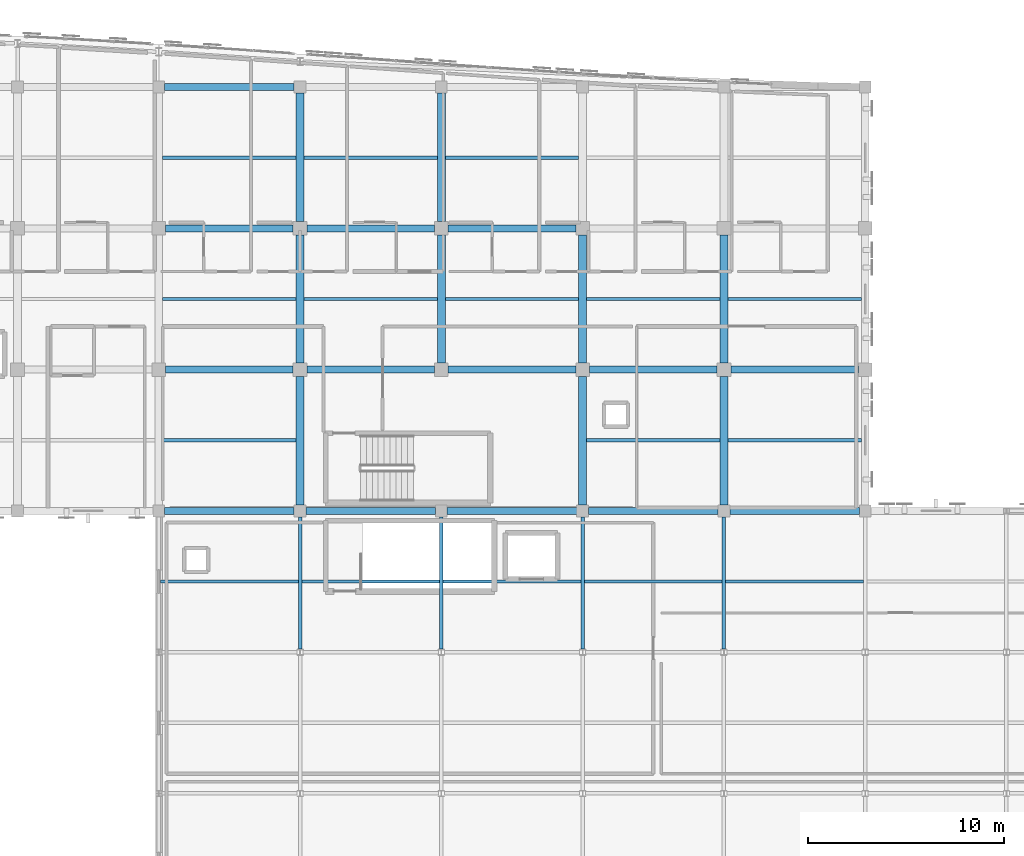
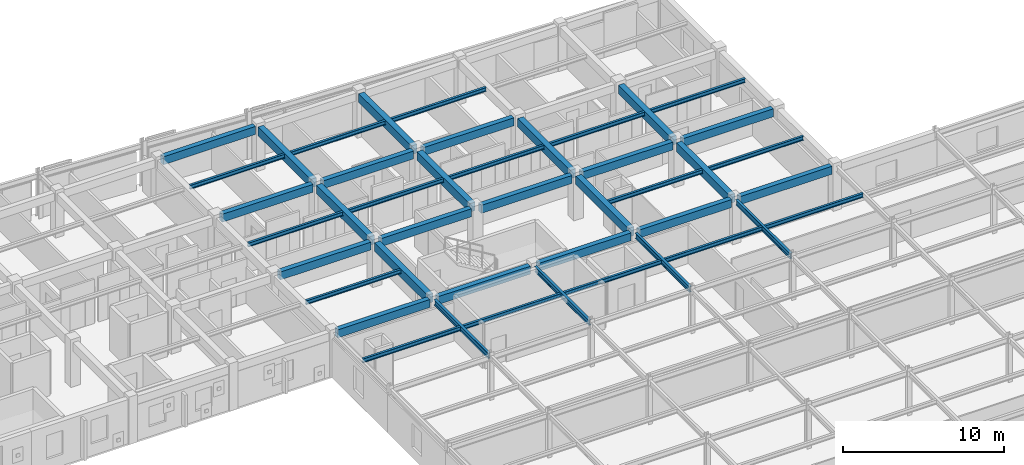
# One storey, part 34 of 73: 43 beams.
"""IFC4 building model written with IfcOpenShell, lengths in metres."""

import ifcopenshell
import ifcopenshell.guid

model = None  # the IFC model being written
_history = None  # IfcOwnerHistory: only IFC2X3 demands one
_inside = {}  # id of a spatial element -> (the spatial element, [elements in it])
_under = {}  # id of a project, library or spatial element -> (it, [spatial elements below it])
_declared = {}  # id of a project -> (the project, [libraries it declares])
_typed = {}  # id of a type object -> (the type object, [elements of that type])
_made_of = {}  # id of a material, layer set ... -> (it, [elements and type objects made of it])


def new_model(schema):
    """Start an empty IFC model of exactly this schema.

    Asked for "IFC4X3", IfcOpenShell would pick the latest addendum, in which some entities
    have other attributes; the version numbers below select the first issue.
    IFC2X3 requires an IfcOwnerHistory on every rooted entity: one is made here for all.
    """
    global model, _history
    if schema == "IFC4X3":
        model = ifcopenshell.file(schema_version=(4, 3, 0, 0))
    else:
        model = ifcopenshell.file(schema=schema)
    _inside.clear()
    _under.clear()
    _declared.clear()
    _typed.clear()
    _made_of.clear()
    _history = None
    if model.schema == "IFC2X3":
        org = make("IfcOrganization", Name="unknown")
        user = make(
            "IfcPersonAndOrganization",
            ThePerson=make("IfcPerson", FamilyName="unknown"),
            TheOrganization=org,
        )
        app = make(
            "IfcApplication",
            ApplicationDeveloper=org,
            Version="unknown",
            ApplicationFullName="unknown",
            ApplicationIdentifier="unknown",
        )
        _history = make(
            "IfcOwnerHistory",
            OwningUser=user,
            OwningApplication=app,
            ChangeAction="ADDED",
            CreationDate=0,
        )
    return model


def make(cls, **values):
    """One entity of the class cls with the attributes given. An attribute that is None is left unset."""
    return model.create_entity(
        cls, **{name: value for name, value in values.items() if value is not None}
    )


def rooted(cls, **values):
    """An entity with a GlobalId (a new one), such as an element, a storey or a relation."""
    return make(cls, GlobalId=ifcopenshell.guid.new(), OwnerHistory=_history, **values)


def si_unit(unit_type, name, prefix=None):
    """IfcSIUnit, for example si_unit("LENGTHUNIT", "METRE", prefix="MILLI")."""
    return make("IfcSIUnit", UnitType=unit_type, Prefix=prefix, Name=name)


def assignment(units):
    """IfcUnitAssignment: the units of a project."""
    return None if units is None else make("IfcUnitAssignment", Units=units)


def point(xyz):
    """IfcCartesianPoint."""
    return None if xyz is None else make("IfcCartesianPoint", Coordinates=xyz)


def direction(xyz):
    """IfcDirection."""
    return None if xyz is None else make("IfcDirection", DirectionRatios=xyz)


def frame(location, z_axis=None, x_axis=None):
    """IfcAxis2Placement3D, a coordinate frame: its origin and axes. An axis left out is left unset."""
    return make(
        "IfcAxis2Placement3D",
        Location=point(location),
        Axis=direction(z_axis),
        RefDirection=direction(x_axis),
    )


def frame_2d(location, x_axis=None):
    """IfcAxis2Placement2D, a coordinate frame in the plane: its origin and x axis."""
    return make(
        "IfcAxis2Placement2D", Location=point(location), RefDirection=direction(x_axis)
    )


def origin():
    """The frame at (0, 0, 0) with its axes left unset."""
    return frame((0.0, 0.0, 0.0))


def origin_2d():
    """The frame at (0, 0) in the plane with its x axis left unset."""
    return frame_2d((0.0, 0.0))


def place(relative_to, where):
    """IfcLocalPlacement: puts the frame where relative to a parent placement (None: the world)."""
    return make(
        "IfcLocalPlacement", PlacementRelTo=relative_to, RelativePlacement=where
    )


def context(
    kind, dimensions, precision=None, world=None, true_north=None, identifier=None
):
    """IfcGeometricRepresentationContext, for example the 3D "Model" context."""
    return make(
        "IfcGeometricRepresentationContext",
        ContextIdentifier=identifier,
        ContextType=kind,
        CoordinateSpaceDimension=dimensions,
        Precision=precision,
        WorldCoordinateSystem=world,
        TrueNorth=true_north,
    )


def subcontext(parent, identifier, kind, view, scale=None):
    """IfcGeometricRepresentationSubContext, for example "Body" below "Model"."""
    return make(
        "IfcGeometricRepresentationSubContext",
        ContextIdentifier=identifier,
        ContextType=kind,
        ParentContext=parent,
        TargetScale=scale,
        TargetView=view,
    )


def project(units=None, contexts=None):
    """IfcProject with its units and contexts."""
    return rooted(
        "IfcProject",
        Name="project",
        RepresentationContexts=contexts,
        UnitsInContext=assignment(units),
    )


def spatial(cls, under=None, at=None, **own):
    """A site, building, storey or space (cls), placed at a placement, below another one or the project."""
    s = rooted(cls, ObjectPlacement=at, **own)
    if under is not None:
        _under.setdefault(under.id(), (under, []))[1].append(s)
    return s


def profile(cls, at=None, kind="AREA", **sizes):
    """A parametric profile (cls). Its sizes go by their IFC names, for example OverallWidth=200.0."""
    return make(cls, ProfileType=kind, Position=at, **sizes)


def rectangle(**sizes):
    """IfcRectangleProfileDef."""
    return profile("IfcRectangleProfileDef", **sizes)


def i_section(**sizes):
    """IfcIShapeProfileDef."""
    return profile("IfcIShapeProfileDef", **sizes)


def extrude(swept, where, along, depth):
    """IfcExtrudedAreaSolid: the profile swept, set in the frame where, extruded along a direction by depth."""
    return make(
        "IfcExtrudedAreaSolid",
        SweptArea=swept,
        Position=where,
        ExtrudedDirection=direction(along),
        Depth=depth,
    )


def shape(context_of_items, identifier, shape_type, items):
    """IfcShapeRepresentation: the items that make up one representation, for example the "Body"."""
    return make(
        "IfcShapeRepresentation",
        ContextOfItems=context_of_items,
        RepresentationIdentifier=identifier,
        RepresentationType=shape_type,
        Items=items,
    )


def material(Name=None, Category=None):
    """IfcMaterial."""
    return make("IfcMaterial", Name=Name, Category=Category)


def material_profile(
    of_material, cross_section, Name=None, Category=None, Priority=None
):
    """IfcMaterialProfile: a cross section and its material."""
    return make(
        "IfcMaterialProfile",
        Name=Name,
        Material=of_material,
        Profile=cross_section,
        Priority=Priority,
        Category=Category,
    )


def profile_set(profiles, Name=None, composite=None):
    """IfcMaterialProfileSet."""
    return make(
        "IfcMaterialProfileSet",
        Name=Name,
        MaterialProfiles=profiles,
        CompositeProfile=composite,
    )


def made_of(thing, what):
    """Note that an element or type object is made of a material, layer set ...; save() writes the relation."""
    if what is not None:
        _made_of.setdefault(what.id(), (what, []))[1].append(thing)
    return thing


def type_object(cls, material=None, **own):
    """A type object (cls), such as IfcWallType, which elements share."""
    return made_of(rooted(cls, **own), material)


def element(
    cls,
    number,
    at=None,
    inside=None,
    cuts=None,
    type_object=None,
    material=None,
    context=None,
    identifier="Body",
    shape_type=None,
    held_by="IfcProductDefinitionShape",
    body=None,
    shapes=None,
    **own,
):
    """One element of the class cls, such as IfcWall. Its Tag is "e" and its number.

    at: its placement. inside: the storey or other place that contains it. cuts: it is an
    opening in that element (IfcRelVoidsElement). A single representation is given by context,
    identifier, shape_type and body (its items); several are given by shapes. held_by: the class
    of the entity that holds the representations. save() writes the other relations.
    """
    e = rooted(cls, Tag="e%d" % number, ObjectPlacement=at, **own)
    if body is not None:
        shapes = [shape(context, identifier, shape_type, body)]
    if shapes is not None:
        e.Representation = make(held_by, Representations=shapes)
    if inside is not None:
        _inside.setdefault(inside.id(), (inside, []))[1].append(e)
    if cuts is not None:
        rooted(
            "IfcRelVoidsElement", RelatingBuildingElement=cuts, RelatedOpeningElement=e
        )
    if type_object is not None:
        _typed.setdefault(type_object.id(), (type_object, []))[1].append(e)
    return made_of(e, material)


def aggregate(whole, parts):
    """IfcRelAggregates: a whole, such as a stair, and the parts it consists of."""
    return rooted("IfcRelAggregates", RelatingObject=whole, RelatedObjects=parts)


def save(model, path):
    """Write the relations noted so far, then the file.

    IfcRelAggregates (storeys below a building ...), IfcRelContainedInSpatialStructure (elements
    in a storey), IfcRelDefinesByType, IfcRelAssociatesMaterial and IfcRelDeclares: one each for
    every whole, place, type object, material and project.
    """
    for whole, parts in _under.values():
        aggregate(whole, parts)
    for where, things in _inside.values():
        rooted(
            "IfcRelContainedInSpatialStructure",
            RelatedElements=things,
            RelatingStructure=where,
        )
    for kind, things in _typed.values():
        rooted("IfcRelDefinesByType", RelatedObjects=things, RelatingType=kind)
    for what, things in _made_of.values():
        rooted("IfcRelAssociatesMaterial", RelatedObjects=things, RelatingMaterial=what)
    for by, libraries in _declared.values():
        rooted("IfcRelDeclares", RelatingContext=by, RelatedDefinitions=libraries)
    model.write(path)


model = new_model("IFC4")

# Units and contexts
model_context = context("Model", 3, precision=1e-05, world=origin(), true_north=direction((0.0, 1.0)))
body_context = subcontext(model_context, "Body", "Model", "MODEL_VIEW")
ifc_project = project(units=[si_unit("LENGTHUNIT", "METRE"), si_unit("AREAUNIT", "SQUARE_METRE"), si_unit("VOLUMEUNIT", "CUBIC_METRE"), si_unit("PLANEANGLEUNIT", "RADIAN"), si_unit("MASSUNIT", "GRAM", prefix="KILO")], contexts=[model_context])

# Site, building, storey
site_placement = place(None, origin())
site = spatial("IfcSite", under=ifc_project, at=site_placement, CompositionType="ELEMENT")
building_placement = place(site_placement, origin())
building = spatial("IfcBuilding", under=site, at=building_placement, Name="Carrowvane Square Congress Hotel", CompositionType="ELEMENT")
storey_placement = place(building_placement, frame((0.0, 0.0, 19.199951171875)))
storey = spatial("IfcBuildingStorey", under=building, at=storey_placement, Name="L04", CompositionType="ELEMENT", Elevation=19.199951171875)

# Beams
ifc_material_1 = material(Name="Concrete C35/45", Category="concrete")
ifc_material_profile_1 = material_profile(ifc_material_1, rectangle(XDim=0.35009765625, YDim=0.60009765625, at=origin_2d()), Name="RC 350x600")
ifc_profile_set_1 = profile_set([ifc_material_profile_1], Name="Concrete C35/45")
beam_type_1 = type_object("IfcBeamType", Name="BM-RC-350x600", PredefinedType="BEAM", material=ifc_profile_set_1)
for number, where, z_axis, x_axis, name in (
    (1, (127.10009765625, 91.800048828125, 3.050048828125), (1.0, 0.0, 0.0), (0.0, 1.0, 0.0), "L05 girder N/17-18"),
    (2, (134.300048828125, 91.800048828125, 3.050048828125), (1.0, 0.0, 0.0), (0.0, 1.0, 0.0), "L05 girder N/18-19"),
):
    element("IfcBeam", number, at=place(storey_placement, frame(where, z_axis=z_axis, x_axis=x_axis)), inside=storey, type_object=beam_type_1, Name=name, PredefinedType="BEAM", context=body_context, shape_type="SweptSolid", body=[
        extrude(rectangle(XDim=0.35009765625, YDim=0.60009765625, at=origin_2d()), origin(), (0.0, 0.0, 1.0), 6.599853515625),
    ])
for number, where, z_axis, x_axis, name in (
    (3, (141.5, 91.800048828125, 3.050048828125), (1.0, 0.0, 0.0), (0.0, 1.0, 0.0), "L05 girder N/19-20"),
    (4, (148.699951171875, 91.800048828125, 3.050048828125), (1.0, 0.0, 0.0), (0.0, 1.0, 0.0), "L05 girder N/20-21"),
    (5, (155.89990234375, 91.800048828125, 3.050048828125), (1.0, 0.0, 0.0), (0.0, 1.0, 0.0), "L05 girder N/21-22"),
):
    element("IfcBeam", number, at=place(storey_placement, frame(where, z_axis=z_axis, x_axis=x_axis)), inside=storey, type_object=beam_type_1, Name=name, PredefinedType="BEAM", context=body_context, shape_type="SweptSolid", body=[
        extrude(rectangle(XDim=0.35009765625, YDim=0.60009765625, at=origin_2d()), origin(), (0.0, 0.0, 1.0), 6.60009765625),
    ])
for number, where, z_axis, x_axis, name in (
    (6, (127.14990234375, 99.0, 3.050048828125), (1.0, 0.0, 0.0), (0.0, 1.0, 0.0), "L05 girder P/17-18"),
    (7, (134.35009765625, 99.0, 3.050048828125), (1.0, 0.0, 0.0), (0.0, 1.0, 0.0), "L05 girder P/18-19"),
    (8, (141.550048828125, 99.0, 3.050048828125), (1.0, 0.0, 0.0), (0.0, 1.0, 0.0), "L05 girder P/19-20"),
    (9, (148.75, 99.0, 3.050048828125), (1.0, 0.0, 0.0), (0.0, 1.0, 0.0), "L05 girder P/20-21"),
    (10, (155.949951171875, 99.0, 3.050048828125), (1.0, 0.0, 0.0), (0.0, 1.0, 0.0), "L05 girder P/21-22"),
    (11, (127.14990234375, 106.199951171875, 3.050048828125), (1.0, 0.0, 0.0), (0.0, 1.0, 0.0), "L05 girder Q/17-18"),
    (12, (134.35009765625, 106.199951171875, 3.050048828125), (1.0, 0.0, 0.0), (0.0, 1.0, 0.0), "L05 girder Q/18-19"),
    (13, (141.550048828125, 106.199951171875, 3.050048828125), (1.0, 0.0, 0.0), (0.0, 1.0, 0.0), "L05 girder Q/19-20"),
):
    element("IfcBeam", number, at=place(storey_placement, frame(where, z_axis=z_axis, x_axis=x_axis)), inside=storey, type_object=beam_type_1, Name=name, PredefinedType="BEAM", context=body_context, shape_type="SweptSolid", body=[
        extrude(rectangle(XDim=0.35009765625, YDim=0.60009765625, at=origin_2d()), origin(), (0.0, 0.0, 1.0), 6.5),
    ])
beam_1_placement = place(storey_placement, frame((127.10009765625, 113.39990234375, 3.050048828125), z_axis=(1.0, 0.0, 0.0), x_axis=(0.0, 1.0, 0.0)))
element("IfcBeam", 14, at=beam_1_placement, inside=storey, type_object=beam_type_1, Name="L05 girder R/17-18", PredefinedType="BEAM", context=body_context, shape_type="SweptSolid", body=[
    extrude(rectangle(XDim=0.35009765625, YDim=0.60009765625, at=origin_2d()), origin(), (0.0, 0.0, 1.0), 6.599853515625),
])
ifc_material_2 = material(Name="Concrete C35/45", Category="concrete")
ifc_material_profile_2 = material_profile(ifc_material_2, rectangle(XDim=0.39990234375, YDim=0.64990234375, at=origin_2d()), Name="RC 400x650")
ifc_profile_set_2 = profile_set([ifc_material_profile_2], Name="Concrete C35/45")
beam_type_2 = type_object("IfcBeamType", Name="BM-RC-400x650", PredefinedType="BEAM", material=ifc_profile_set_2)
beam_2_placement = place(storey_placement, frame((134.0, 92.10009765625, 3.025146484375), z_axis=(0.0, 1.0, 0.0), x_axis=(-1.0, 0.0, 0.0)))
element("IfcBeam", 15, at=beam_2_placement, inside=storey, type_object=beam_type_2, Name="L05 girder 18/N-P", PredefinedType="BEAM", context=body_context, shape_type="SweptSolid", body=[
    extrude(rectangle(XDim=0.39990234375, YDim=0.64990234375, at=origin_2d()), origin(), (0.0, 0.0, 1.0), 6.5498046875),
])
beam_3_placement = place(storey_placement, frame((134.0, 99.35009765625, 3.025146484375), z_axis=(0.0, 1.0, 0.0), x_axis=(-1.0, 0.0, 0.0)))
element("IfcBeam", 16, at=beam_3_placement, inside=storey, type_object=beam_type_2, Name="L05 girder 18/P-Q", PredefinedType="BEAM", context=body_context, shape_type="SweptSolid", body=[
    extrude(rectangle(XDim=0.39990234375, YDim=0.64990234375, at=origin_2d()), origin(), (0.0, 0.0, 1.0), 6.5),
])
beam_4_placement = place(storey_placement, frame((134.0, 106.550048828125, 3.025146484375), z_axis=(0.0, 1.0, 0.0), x_axis=(-1.0, 0.0, 0.0)))
element("IfcBeam", 17, at=beam_4_placement, inside=storey, type_object=beam_type_2, Name="L05 girder 18/Q-R", PredefinedType="BEAM", context=body_context, shape_type="SweptSolid", body=[
    extrude(rectangle(XDim=0.39990234375, YDim=0.64990234375, at=origin_2d()), origin(), (0.0, 0.0, 1.0), 6.550048828125),
])
beam_5_placement = place(storey_placement, frame((141.199951171875, 99.35009765625, 3.025146484375), z_axis=(0.0, 1.0, 0.0), x_axis=(-1.0, 0.0, 0.0)))
element("IfcBeam", 18, at=beam_5_placement, inside=storey, type_object=beam_type_2, Name="L05 girder 19/P-Q", PredefinedType="BEAM", context=body_context, shape_type="SweptSolid", body=[
    extrude(rectangle(XDim=0.39990234375, YDim=0.64990234375, at=origin_2d()), origin(), (0.0, 0.0, 1.0), 6.5),
])
beam_6_placement = place(storey_placement, frame((141.199951171875, 106.550048828125, 3.025146484375), z_axis=(0.0, 1.0, 0.0), x_axis=(-1.0, 0.0, 0.0)))
element("IfcBeam", 19, at=beam_6_placement, inside=storey, type_object=beam_type_2, Name="L05 girder 19/Q-R", PredefinedType="BEAM", context=body_context, shape_type="SweptSolid", body=[
    extrude(rectangle(XDim=0.39990234375, YDim=0.64990234375, at=origin_2d()), origin(), (0.0, 0.0, 1.0), 6.550048828125),
])
beam_7_placement = place(storey_placement, frame((148.39990234375, 92.10009765625, 3.025146484375), z_axis=(0.0, 1.0, 0.0), x_axis=(-1.0, 0.0, 0.0)))
element("IfcBeam", 20, at=beam_7_placement, inside=storey, type_object=beam_type_2, Name="L05 girder 20/N-P", PredefinedType="BEAM", context=body_context, shape_type="SweptSolid", body=[
    extrude(rectangle(XDim=0.39990234375, YDim=0.64990234375, at=origin_2d()), origin(), (0.0, 0.0, 1.0), 6.5498046875),
])
beam_8_placement = place(storey_placement, frame((148.39990234375, 99.35009765625, 3.025146484375), z_axis=(0.0, 1.0, 0.0), x_axis=(-1.0, 0.0, 0.0)))
element("IfcBeam", 21, at=beam_8_placement, inside=storey, type_object=beam_type_2, Name="L05 girder 20/P-Q", PredefinedType="BEAM", context=body_context, shape_type="SweptSolid", body=[
    extrude(rectangle(XDim=0.39990234375, YDim=0.64990234375, at=origin_2d()), origin(), (0.0, 0.0, 1.0), 6.5),
])
beam_9_placement = place(storey_placement, frame((155.60009765625, 92.10009765625, 3.025146484375), z_axis=(0.0, 1.0, 0.0), x_axis=(-1.0, 0.0, 0.0)))
element("IfcBeam", 22, at=beam_9_placement, inside=storey, type_object=beam_type_2, Name="L05 girder 21/N-P", PredefinedType="BEAM", context=body_context, shape_type="SweptSolid", body=[
    extrude(rectangle(XDim=0.39990234375, YDim=0.64990234375, at=origin_2d()), origin(), (0.0, 0.0, 1.0), 6.5498046875),
])
beam_10_placement = place(storey_placement, frame((155.60009765625, 99.35009765625, 3.025146484375), z_axis=(0.0, 1.0, 0.0), x_axis=(-1.0, 0.0, 0.0)))
element("IfcBeam", 23, at=beam_10_placement, inside=storey, type_object=beam_type_2, Name="L05 girder 21/P-Q", PredefinedType="BEAM", context=body_context, shape_type="SweptSolid", body=[
    extrude(rectangle(XDim=0.39990234375, YDim=0.64990234375, at=origin_2d()), origin(), (0.0, 0.0, 1.0), 6.5),
])
ifc_material_3 = material(Name="Steel S355", Category="steel")
ifc_material_profile_3 = material_profile(ifc_material_3, i_section(OverallWidth=0.165771484375, OverallDepth=0.306640625, WebThickness=0.006591796875, FlangeThickness=0.01171875, FilletRadius=0.0087890625, at=origin_2d()), Name="UKB 305x165x46")
ifc_profile_set_3 = profile_set([ifc_material_profile_3], Name="Steel S355")
beam_type_3 = type_object("IfcBeamType", Name="BM-ST-UKB305", PredefinedType="JOIST", material=ifc_profile_set_3)
beam_11_placement = place(storey_placement, frame((126.889404296875, 88.199951171875, 3.19677734375), z_axis=(1.0, 0.0, 0.0), x_axis=(0.0, 1.0, 0.0)))
element("IfcBeam", 24, at=beam_11_placement, inside=storey, type_object=beam_type_3, Name="L05 secondary joist 17-18", PredefinedType="JOIST", context=body_context, shape_type="SweptSolid", body=[
    extrude(i_section(OverallWidth=0.165771484375, OverallDepth=0.306640625, WebThickness=0.006591796875, FlangeThickness=0.01171875, FilletRadius=0.0087890625, at=origin_2d()), origin(), (0.0, 0.0, 1.0), 7.021240234375),
])
for number, where, z_axis, x_axis, name in (
    (25, (127.0, 95.39990234375, 3.19677734375), (1.0, 0.0, 0.0), (0.0, 1.0, 0.0), "L05 secondary joist 17-18"),
    (26, (127.0, 102.60009765625, 3.19677734375), (1.0, 0.0, 0.0), (0.0, 1.0, 0.0), "L05 secondary joist 17-18"),
    (27, (127.0, 109.800048828125, 3.19677734375), (1.0, 0.0, 0.0), (0.0, 1.0, 0.0), "L05 secondary joist 17-18"),
):
    element("IfcBeam", number, at=place(storey_placement, frame(where, z_axis=z_axis, x_axis=x_axis)), inside=storey, type_object=beam_type_3, Name=name, PredefinedType="JOIST", context=body_context, shape_type="SweptSolid", body=[
        extrude(i_section(OverallWidth=0.165771484375, OverallDepth=0.306640625, WebThickness=0.006591796875, FlangeThickness=0.01171875, FilletRadius=0.0087890625, at=origin_2d()), origin(), (0.0, 0.0, 1.0), 6.800048828125),
    ])
beam_12_placement = place(storey_placement, frame((134.08935546875, 88.199951171875, 3.19677734375), z_axis=(1.0, 0.0, 0.0), x_axis=(0.0, 1.0, 0.0)))
element("IfcBeam", 28, at=beam_12_placement, inside=storey, type_object=beam_type_3, Name="L05 secondary joist 18-19", PredefinedType="JOIST", context=body_context, shape_type="SweptSolid", body=[
    extrude(i_section(OverallWidth=0.165771484375, OverallDepth=0.306640625, WebThickness=0.006591796875, FlangeThickness=0.01171875, FilletRadius=0.0087890625, at=origin_2d()), origin(), (0.0, 0.0, 1.0), 7.021240234375),
])
for number, where, z_axis, x_axis, name in (
    (29, (134.199951171875, 102.60009765625, 3.19677734375), (1.0, 0.0, 0.0), (0.0, 1.0, 0.0), "L05 secondary joist 18-19"),
    (30, (134.199951171875, 109.800048828125, 3.19677734375), (1.0, 0.0, 0.0), (0.0, 1.0, 0.0), "L05 secondary joist 18-19"),
):
    element("IfcBeam", number, at=place(storey_placement, frame(where, z_axis=z_axis, x_axis=x_axis)), inside=storey, type_object=beam_type_3, Name=name, PredefinedType="JOIST", context=body_context, shape_type="SweptSolid", body=[
        extrude(i_section(OverallWidth=0.165771484375, OverallDepth=0.306640625, WebThickness=0.006591796875, FlangeThickness=0.01171875, FilletRadius=0.0087890625, at=origin_2d()), origin(), (0.0, 0.0, 1.0), 6.800048828125),
    ])
beam_13_placement = place(storey_placement, frame((141.289306640625, 88.199951171875, 3.19677734375), z_axis=(1.0, 0.0, 0.0), x_axis=(0.0, 1.0, 0.0)))
element("IfcBeam", 31, at=beam_13_placement, inside=storey, type_object=beam_type_3, Name="L05 secondary joist 19-20", PredefinedType="JOIST", context=body_context, shape_type="SweptSolid", body=[
    extrude(i_section(OverallWidth=0.165771484375, OverallDepth=0.306640625, WebThickness=0.006591796875, FlangeThickness=0.01171875, FilletRadius=0.0087890625, at=origin_2d()), origin(), (0.0, 0.0, 1.0), 7.021240234375),
])
for number, where, z_axis, x_axis, name in (
    (32, (141.39990234375, 102.60009765625, 3.19677734375), (1.0, 0.0, 0.0), (0.0, 1.0, 0.0), "L05 secondary joist 19-20"),
    (33, (141.39990234375, 109.800048828125, 3.19677734375), (1.0, 0.0, 0.0), (0.0, 1.0, 0.0), "L05 secondary joist 19-20"),
):
    element("IfcBeam", number, at=place(storey_placement, frame(where, z_axis=z_axis, x_axis=x_axis)), inside=storey, type_object=beam_type_3, Name=name, PredefinedType="JOIST", context=body_context, shape_type="SweptSolid", body=[
        extrude(i_section(OverallWidth=0.165771484375, OverallDepth=0.306640625, WebThickness=0.006591796875, FlangeThickness=0.01171875, FilletRadius=0.0087890625, at=origin_2d()), origin(), (0.0, 0.0, 1.0), 6.800048828125),
    ])
beam_14_placement = place(storey_placement, frame((148.489501953125, 88.199951171875, 3.19677734375), z_axis=(1.0, 0.0, 0.0), x_axis=(0.0, 1.0, 0.0)))
element("IfcBeam", 34, at=beam_14_placement, inside=storey, type_object=beam_type_3, Name="L05 secondary joist 20-21", PredefinedType="JOIST", context=body_context, shape_type="SweptSolid", body=[
    extrude(i_section(OverallWidth=0.165771484375, OverallDepth=0.306640625, WebThickness=0.006591796875, FlangeThickness=0.01171875, FilletRadius=0.0087890625, at=origin_2d()), origin(), (0.0, 0.0, 1.0), 7.02099609375),
])
for number, where, z_axis, x_axis, name in (
    (35, (148.60009765625, 95.39990234375, 3.19677734375), (1.0, 0.0, 0.0), (0.0, 1.0, 0.0), "L05 secondary joist 20-21"),
    (36, (148.60009765625, 102.60009765625, 3.19677734375), (1.0, 0.0, 0.0), (0.0, 1.0, 0.0), "L05 secondary joist 20-21"),
):
    element("IfcBeam", number, at=place(storey_placement, frame(where, z_axis=z_axis, x_axis=x_axis)), inside=storey, type_object=beam_type_3, Name=name, PredefinedType="JOIST", context=body_context, shape_type="SweptSolid", body=[
        extrude(i_section(OverallWidth=0.165771484375, OverallDepth=0.306640625, WebThickness=0.006591796875, FlangeThickness=0.01171875, FilletRadius=0.0087890625, at=origin_2d()), origin(), (0.0, 0.0, 1.0), 6.7998046875),
    ])
beam_15_placement = place(storey_placement, frame((155.689453125, 88.199951171875, 3.19677734375), z_axis=(1.0, 0.0, 0.0), x_axis=(0.0, 1.0, 0.0)))
element("IfcBeam", 37, at=beam_15_placement, inside=storey, type_object=beam_type_3, Name="L05 secondary joist 21-22", PredefinedType="JOIST", context=body_context, shape_type="SweptSolid", body=[
    extrude(i_section(OverallWidth=0.165771484375, OverallDepth=0.306640625, WebThickness=0.006591796875, FlangeThickness=0.01171875, FilletRadius=0.0087890625, at=origin_2d()), origin(), (0.0, 0.0, 1.0), 7.021240234375),
])
for number, where, z_axis, x_axis, name in (
    (38, (155.800048828125, 95.39990234375, 3.19677734375), (1.0, 0.0, 0.0), (0.0, 1.0, 0.0), "L05 secondary joist 21-22"),
    (39, (155.800048828125, 102.60009765625, 3.19677734375), (1.0, 0.0, 0.0), (0.0, 1.0, 0.0), "L05 secondary joist 21-22"),
):
    element("IfcBeam", number, at=place(storey_placement, frame(where, z_axis=z_axis, x_axis=x_axis)), inside=storey, type_object=beam_type_3, Name=name, PredefinedType="JOIST", context=body_context, shape_type="SweptSolid", body=[
        extrude(i_section(OverallWidth=0.165771484375, OverallDepth=0.306640625, WebThickness=0.006591796875, FlangeThickness=0.01171875, FilletRadius=0.0087890625, at=origin_2d()), origin(), (0.0, 0.0, 1.0), 6.800048828125),
    ])
ifc_material_4 = material(Name="Steel S355", Category="steel")
ifc_material_profile_4 = material_profile(ifc_material_4, i_section(OverallWidth=0.1787109375, OverallDepth=0.409423828125, WebThickness=0.0087890625, FlangeThickness=0.014404296875, FilletRadius=0.01025390625, at=origin_2d()), Name="UKB 406x178x67")
ifc_profile_set_4 = profile_set([ifc_material_profile_4], Name="Steel S355")
beam_type_4 = type_object("IfcBeamType", Name="BM-ST-UKB406", PredefinedType="BEAM", material=ifc_profile_set_4)
for number, where, z_axis, x_axis, name in (
    (40, (134.0, 84.75, 3.145263671875), (0.0, 1.0, 0.0), (-1.0, 0.0, 0.0), "L05 girder 18/M-N"),
    (41, (141.199951171875, 84.75, 3.145263671875), (0.0, 1.0, 0.0), (-1.0, 0.0, 0.0), "L05 girder 19/M-N"),
    (42, (148.39990234375, 84.75, 3.145263671875), (0.0, 1.0, 0.0), (-1.0, 0.0, 0.0), "L05 girder 20/M-N"),
    (43, (155.60009765625, 84.75, 3.145263671875), (0.0, 1.0, 0.0), (-1.0, 0.0, 0.0), "L05 girder 21/M-N"),
):
    element("IfcBeam", number, at=place(storey_placement, frame(where, z_axis=z_axis, x_axis=x_axis)), inside=storey, type_object=beam_type_4, Name=name, PredefinedType="BEAM", context=body_context, shape_type="SweptSolid", body=[
        extrude(i_section(OverallWidth=0.1787109375, OverallDepth=0.409423828125, WebThickness=0.0087890625, FlangeThickness=0.014404296875, FilletRadius=0.01025390625, at=origin_2d()), origin(), (0.0, 0.0, 1.0), 6.75),
    ])

save(model, "model.ifc")
